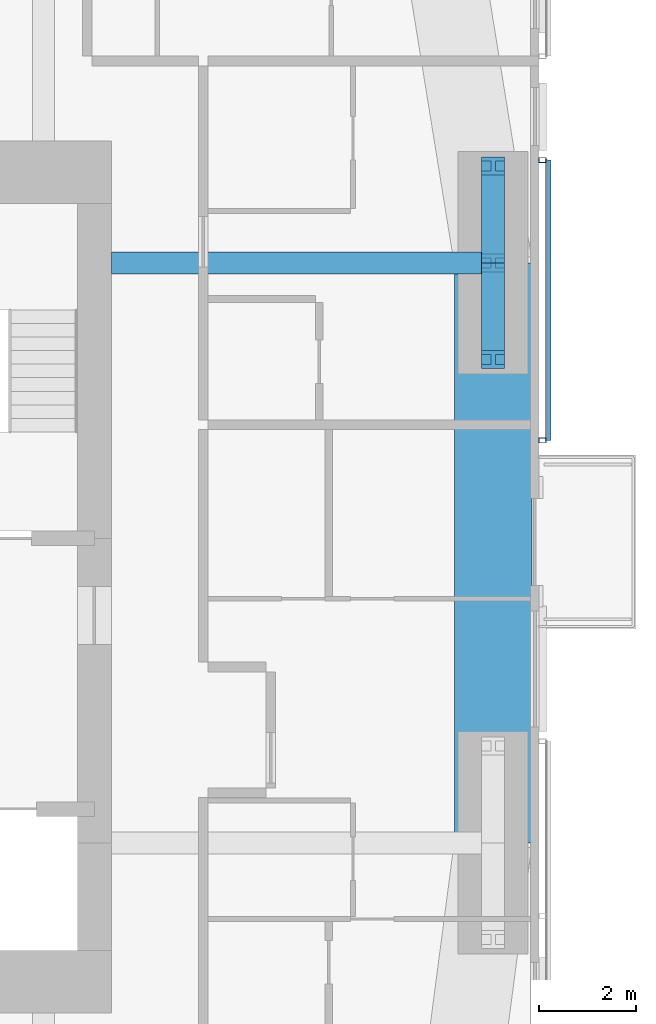
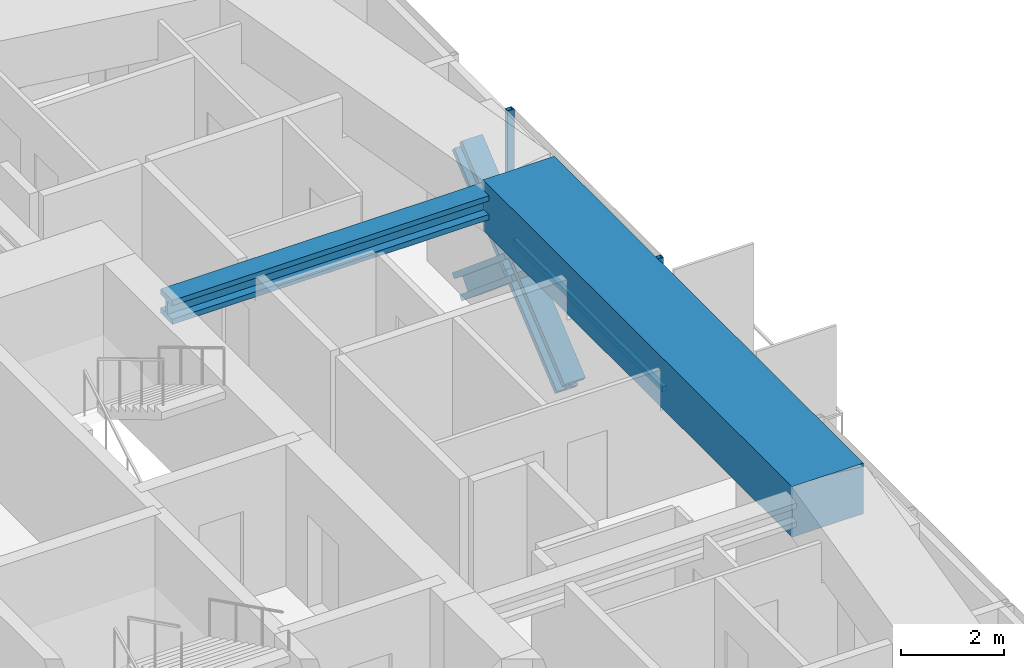
# One storey, part 8 of 23: 7 members, 2 beams, 1 element without a shape of its own.
"""IFC4 building model written with IfcOpenShell, lengths in metres."""

from ifc_helpers import new_model, si_unit, direction, frame, origin, origin_2d, place, context, subcontext, project, spatial, rectangle, hollow_rectangle, i_section, extrude, material, material_profile, profile_set, type_object, element, aggregate, save


model = new_model("IFC4")

# Units and contexts
model_context = context("Model", 3, precision=1e-05, world=origin(), true_north=direction((0.0, 1.0)))
body_context = subcontext(model_context, "Body", "Model", "MODEL_VIEW")
ifc_project = project(units=[si_unit("LENGTHUNIT", "METRE"), si_unit("AREAUNIT", "SQUARE_METRE"), si_unit("VOLUMEUNIT", "CUBIC_METRE"), si_unit("PLANEANGLEUNIT", "RADIAN"), si_unit("MASSUNIT", "GRAM", prefix="KILO")], contexts=[model_context])

# Site, building, storey
site_placement = place(None, origin())
site = spatial("IfcSite", under=ifc_project, at=site_placement, CompositionType="ELEMENT")
building_placement = place(site_placement, origin())
building = spatial("IfcBuilding", under=site, at=building_placement, Name="Jalousie Tower", CompositionType="ELEMENT")
storey_placement = place(building_placement, frame((0.0, 0.0, 171.10009765625)))
storey = spatial("IfcBuildingStorey", under=building, at=storey_placement, Name="L46", CompositionType="ELEMENT", Elevation=171.10009765625)

# Beam
ifc_material_1 = material(Name="Steel ASTM A992 Grade 50", Category="steel")
ifc_material_profile_1 = material_profile(ifc_material_1, i_section(OverallWidth=0.45458984375, OverallDepth=0.569091796875, WebThickness=0.077880859375, FlangeThickness=0.124755859375, at=origin_2d()), Name="W14X730")
ifc_profile_set_1 = profile_set([ifc_material_profile_1], Name="Steel ASTM A992 Grade 50")
beam_type_1 = type_object("IfcBeamType", Name="LEAN COLLECTOR W14X730", PredefinedType="BEAM", material=ifc_profile_set_1)
beam_1_placement = place(storey_placement, frame((52.050048828125, 25.0, 2.825439453125), z_axis=(-1.0, 0.0, 0.0), x_axis=(0.0, -1.0, 0.0)))
element("IfcBeam", 1, at=beam_1_placement, inside=storey, type_object=beam_type_1, Name="Lean collector under L47", PredefinedType="BEAM", context=body_context, shape_type="SweptSolid", body=[
    extrude(i_section(OverallWidth=0.45458984375, OverallDepth=0.569091796875, WebThickness=0.077880859375, FlangeThickness=0.124755859375, at=origin_2d()), origin(), (0.0, 0.0, 1.0), 7.900146484375),
])

# Members
ifc_material_2 = material(Name="Steel ASTM A992 Grade 50", Category="steel")
ifc_material_profile_2 = material_profile(ifc_material_2, i_section(OverallWidth=0.472412109375, OverallDepth=0.5791015625, WebThickness=0.094970703125, FlangeThickness=0.1298828125, at=origin_2d()), Name="W14X808")
ifc_profile_set_2 = profile_set([ifc_material_profile_2], Name="Steel ASTM A992 Grade 50")
member_type_1 = type_object("IfcMemberType", Name="PERIMETER BRACE W14X808", PredefinedType="BRACE", material=ifc_profile_set_2)
for number, where, z_axis, x_axis, name in (
    (2, (52.050048828125, 23.0, -0.60009765625), (0.0, 0.766638753323, 0.642078672674), (-1.0, 0.0, 0.0), "Perimeter brace 07 L46 part 1"),
    (3, (52.050048828125, 25.0, 1.074951171875), (0.0, 0.766638753323, 0.642078672674), (-1.0, 0.0, 0.0), "Perimeter brace 07 L46 part 2"),
    (4, (52.050048828125, 27.0, -0.60009765625), (0.0, -0.766638753323, 0.642078672674), (1.0, 0.0, 0.0), "Perimeter brace 07 L46 part 3"),
    (5, (52.050048828125, 25.0, 1.074951171875), (0.0, -0.766638753323, 0.642078672674), (1.0, 0.0, 0.0), "Perimeter brace 07 L46 part 4"),
):
    element("IfcMember", number, at=place(storey_placement, frame(where, z_axis=z_axis, x_axis=x_axis)), inside=storey, type_object=member_type_1, Name=name, PredefinedType="BRACE", context=body_context, shape_type="SweptSolid", body=[
        extrude(i_section(OverallWidth=0.472412109375, OverallDepth=0.5791015625, WebThickness=0.094970703125, FlangeThickness=0.1298828125, at=origin_2d()), origin(), (0.0, 0.0, 1.0), 2.60888671875),
    ])

# Beam
ifc_material_3 = material(Name="Concrete f'c 40 MPa", Category="concrete")
ifc_material_profile_3 = material_profile(ifc_material_3, rectangle(XDim=1.60009765625, YDim=1.199951171875, at=origin_2d()), Name="RC 1600x1200")
ifc_profile_set_3 = profile_set([ifc_material_profile_3], Name="Concrete f'c 40 MPa")
beam_type_2 = type_object("IfcBeamType", Name="RC BEAM 1600x1200", PredefinedType="BEAM", material=ifc_profile_set_3)
beam_2_placement = place(storey_placement, frame((52.050048828125, 13.0, 2.75), z_axis=(0.0, 1.0, 0.0), x_axis=(-1.0, 0.0, 0.0)))
element("IfcBeam", 6, at=beam_2_placement, inside=storey, type_object=beam_type_2, Name="Edge band beam 06-07 under L47", PredefinedType="BEAM", context=body_context, shape_type="SweptSolid", body=[
    extrude(rectangle(XDim=1.60009765625, YDim=1.199951171875, at=origin_2d()), origin(), (0.0, 0.0, 1.0), 12.0),
])

# Curtain wall, members
ifc_material_4 = material(Name="Perforated aluminium sheet", Category="aluminium")
curtain_wall_type = type_object("IfcCurtainWallType", Name="SOLAR SCREEN SS-1", PredefinedType="USERDEFINED", material=ifc_material_4)
curtain_wall_placement = place(storey_placement, origin())
curtain_wall = element("IfcCurtainWall", 7, at=curtain_wall_placement, inside=storey, type_object=curtain_wall_type, Name="Solar screen L46", ObjectType="SOLAR SCREEN SS-1", PredefinedType="USERDEFINED")
ifc_material_5 = material(Name="Steel ASTM A500 Grade C", Category="steel")
ifc_material_profile_4 = material_profile(ifc_material_5, hollow_rectangle(XDim=0.1015625, YDim=0.15234375, WallThickness=0.00634765625, at=origin_2d()), Name="HSS6X4X1/4")
ifc_profile_set_4 = profile_set([ifc_material_profile_4], Name="Steel ASTM A500 Grade C")
member_type_2 = type_object("IfcMemberType", Name="SOLAR SCREEN SS-1 MULLION", PredefinedType="MULLION", material=ifc_profile_set_4)
member_1_placement = place(storey_placement, frame((53.0712890625, 21.324951171875, -0.1201171875), z_axis=(0.0, 0.0, 1.0), x_axis=(0.0, 1.0, 0.0)))
member_1 = element("IfcMember", 8, at=member_1_placement, type_object=member_type_2, Name="SS1 post 1", PredefinedType="MULLION", context=body_context, shape_type="SweptSolid", body=[
    extrude(hollow_rectangle(XDim=0.1015625, YDim=0.15234375, WallThickness=0.00634765625, at=origin_2d()), origin(), (0.0, 0.0, 1.0), 3.22998046875),
])
member_2_placement = place(storey_placement, frame((53.0712890625, 27.12451171875, -0.1201171875), z_axis=(0.0, 0.0, 1.0), x_axis=(0.0, 1.0, 0.0)))
member_2 = element("IfcMember", 9, at=member_2_placement, type_object=member_type_2, Name="SS1 post 2", PredefinedType="MULLION", context=body_context, shape_type="SweptSolid", body=[
    extrude(hollow_rectangle(XDim=0.1015625, YDim=0.15234375, WallThickness=0.00634765625, at=origin_2d()), origin(), (0.0, 0.0, 1.0), 3.22998046875),
])
ifc_material_6 = material(Name="Extruded aluminium screen rail", Category="aluminium")
ifc_material_profile_5 = material_profile(ifc_material_6, rectangle(XDim=0.1015625, YDim=0.1201171875, at=origin_2d()), Name="RAIL 102x120")
ifc_profile_set_5 = profile_set([ifc_material_profile_5], Name="Extruded aluminium screen rail")
member_type_3 = type_object("IfcMemberType", Name="SOLAR SCREEN SS-1 TRANSOM", PredefinedType="USERDEFINED", material=ifc_profile_set_5)
member_3_placement = place(storey_placement, frame((53.1982421875, 21.324951171875, -0.06005859375), z_axis=(0.0, 1.0, 0.0), x_axis=(-1.0, 0.0, 0.0)))
member_3 = element("IfcMember", 10, at=member_3_placement, type_object=member_type_3, Name="SS1 rail", ObjectType="TRANSOM", PredefinedType="USERDEFINED", context=body_context, shape_type="SweptSolid", body=[
    extrude(rectangle(XDim=0.1015625, YDim=0.1201171875, at=origin_2d()), origin(), (0.0, 0.0, 1.0), 5.799560546875),
])
aggregate(curtain_wall, [member_1, member_2, member_3])

save(model, "model.ifc")
